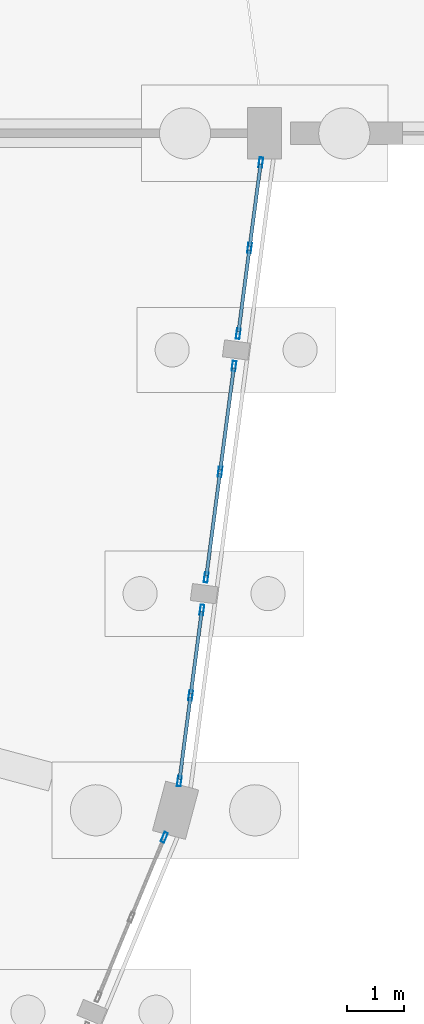
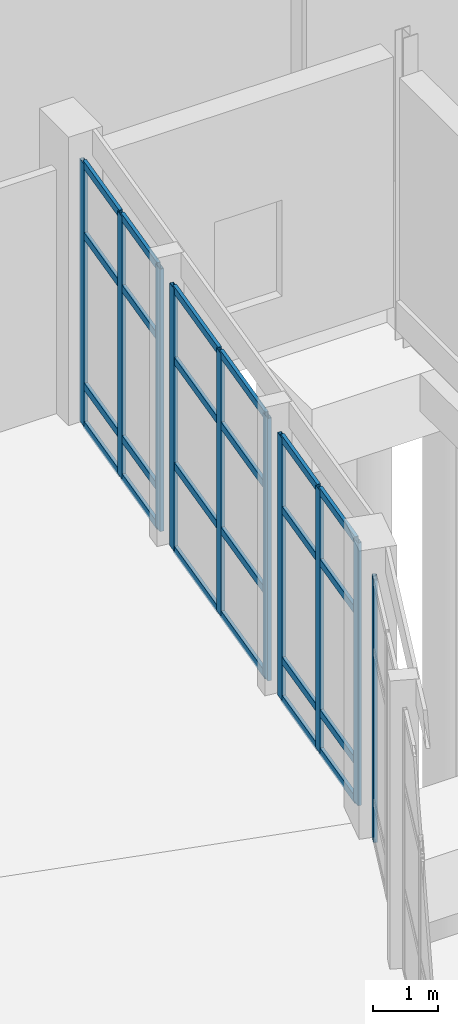
# One storey, part 75 of 137: 34 members, 4 elements without a shape of their own.
"""IFC4 building model written with IfcOpenShell, lengths in metres."""

from ifc_helpers import new_model, si_unit, direction, frame, origin, origin_2d, place, context, subcontext, project, spatial, hollow_rectangle, extrude, material, material_profile, profile_set, type_object, element, aggregate, save


model = new_model("IFC4")

# Units and contexts
model_context = context("Model", 3, precision=1e-05, world=origin(), true_north=direction((0.0, 1.0)))
body_context = subcontext(model_context, "Body", "Model", "MODEL_VIEW")
ifc_project = project(units=[si_unit("LENGTHUNIT", "METRE"), si_unit("AREAUNIT", "SQUARE_METRE"), si_unit("VOLUMEUNIT", "CUBIC_METRE"), si_unit("PLANEANGLEUNIT", "RADIAN"), si_unit("MASSUNIT", "GRAM", prefix="KILO")], contexts=[model_context])

# Site, building, storey
site_placement = place(None, origin())
site = spatial("IfcSite", under=ifc_project, at=site_placement, CompositionType="ELEMENT")
building_placement = place(site_placement, origin())
building = spatial("IfcBuilding", under=site, at=building_placement, Name="Vondelvale Polytechnic", CompositionType="ELEMENT")
storey_placement = place(building_placement, origin())
storey = spatial("IfcBuildingStorey", under=building, at=storey_placement, Name="L00", CompositionType="ELEMENT", Elevation=0.0)

# Curtain wall, member
ifc_material_1 = material(Name="Glulam GL18 structural Tasmanian oak (fb = 42 MPa)", Category="wood")
curtain_wall_type = type_object("IfcCurtainWallType", Name="CW-RING-OUTER", PredefinedType="NOTDEFINED", material=ifc_material_1)
curtain_wall_1_placement = place(storey_placement, origin())
curtain_wall_1 = element("IfcCurtainWall", 1, at=curtain_wall_1_placement, inside=storey, type_object=curtain_wall_type, Name="L00 architectural curtain wall CW-04-361", PredefinedType="NOTDEFINED")
ifc_material_2 = material(Name="Anodised extruded aluminium 6063-T6", Category="aluminium")
ifc_material_profile_1 = material_profile(ifc_material_2, hollow_rectangle(XDim=0.06494140625, YDim=0.179931640625, WallThickness=0.00390625, at=origin_2d()), Name="CW-MUL-180x65")
ifc_profile_set_1 = profile_set([ifc_material_profile_1], Name="Anodised extruded aluminium 6063-T6")
member_type_1 = type_object("IfcMemberType", Name="CW-MUL-65x180", PredefinedType="MULLION", material=ifc_profile_set_1)
member_1_placement = place(storey_placement, frame((146.23486328125, 59.6171875, 0.0), z_axis=(0.0, 0.0, 1.0), x_axis=(-0.92388135159, 0.382679040691, 0.0)))
member_1 = element("IfcMember", 2, at=member_1_placement, type_object=member_type_1, Name="CW-04-361 mullion 3", PredefinedType="MULLION", context=body_context, shape_type="SweptSolid", body=[
    extrude(hollow_rectangle(XDim=0.06494140625, YDim=0.179931640625, WallThickness=0.00390625, at=origin_2d()), origin(), (0.0, 0.0, 1.0), 4.919921875),
])
aggregate(curtain_wall_1, [member_1])

# Curtain wall, members
curtain_wall_2_placement = place(storey_placement, origin())
curtain_wall_2 = element("IfcCurtainWall", 3, at=curtain_wall_2_placement, inside=storey, type_object=curtain_wall_type, Name="L00 architectural curtain wall CW-04-371", PredefinedType="NOTDEFINED")
member_2_placement = place(storey_placement, frame((146.5, 60.6064453125, 0.0), z_axis=(0.0, 0.0, 1.0), x_axis=(-0.991445190781, 0.130523690099, 0.0)))
member_2 = element("IfcMember", 4, at=member_2_placement, type_object=member_type_1, Name="CW-04-371 mullion 1", PredefinedType="MULLION", context=body_context, shape_type="SweptSolid", body=[
    extrude(hollow_rectangle(XDim=0.06494140625, YDim=0.179931640625, WallThickness=0.00390625, at=origin_2d()), origin(), (0.0, 0.0, 1.0), 4.919921875),
])
member_3_placement = place(storey_placement, frame((146.6982421875, 62.11279296875, 0.0), z_axis=(0.0, 0.0, 1.0), x_axis=(-0.991445190781, 0.130523690099, 0.0)))
member_3 = element("IfcMember", 5, at=member_3_placement, type_object=member_type_1, Name="CW-04-371 mullion 2", PredefinedType="MULLION", context=body_context, shape_type="SweptSolid", body=[
    extrude(hollow_rectangle(XDim=0.06494140625, YDim=0.179931640625, WallThickness=0.00390625, at=origin_2d()), origin(), (0.0, 0.0, 1.0), 4.919921875),
])
member_4_placement = place(storey_placement, frame((146.896728515625, 63.619140625, 0.0), z_axis=(0.0, 0.0, 1.0), x_axis=(-0.991445190781, 0.130523690099, 0.0)))
member_4 = element("IfcMember", 6, at=member_4_placement, type_object=member_type_1, Name="CW-04-371 mullion 3", PredefinedType="MULLION", context=body_context, shape_type="SweptSolid", body=[
    extrude(hollow_rectangle(XDim=0.06494140625, YDim=0.179931640625, WallThickness=0.00390625, at=origin_2d()), origin(), (0.0, 0.0, 1.0), 4.919921875),
])

curtain_wall_3_placement = place(storey_placement, origin())
curtain_wall_3 = element("IfcCurtainWall", 7, at=curtain_wall_3_placement, inside=storey, type_object=curtain_wall_type, Name="L00 architectural curtain wall CW-04-372", PredefinedType="NOTDEFINED")
member_5_placement = place(storey_placement, frame((146.9716796875, 64.189208984375, 0.0), z_axis=(0.0, 0.0, 1.0), x_axis=(-0.991448671082, 0.130497251349, 0.0)))
member_5 = element("IfcMember", 8, at=member_5_placement, type_object=member_type_1, Name="CW-04-372 mullion 1", PredefinedType="MULLION", context=body_context, shape_type="SweptSolid", body=[
    extrude(hollow_rectangle(XDim=0.06494140625, YDim=0.179931640625, WallThickness=0.00390625, at=origin_2d()), origin(), (0.0, 0.0, 1.0), 4.919921875),
])
member_6_placement = place(storey_placement, frame((147.21630859375, 66.047119140625, 0.0), z_axis=(0.0, 0.0, 1.0), x_axis=(-0.991448671082, 0.130497251349, 0.0)))
member_6 = element("IfcMember", 9, at=member_6_placement, type_object=member_type_1, Name="CW-04-372 mullion 2", PredefinedType="MULLION", context=body_context, shape_type="SweptSolid", body=[
    extrude(hollow_rectangle(XDim=0.06494140625, YDim=0.179931640625, WallThickness=0.00390625, at=origin_2d()), origin(), (0.0, 0.0, 1.0), 4.919921875),
])
member_7_placement = place(storey_placement, frame((147.4609375, 67.9052734375, 0.0), z_axis=(0.0, 0.0, 1.0), x_axis=(-0.991448671082, 0.130497251349, 0.0)))
member_7 = element("IfcMember", 10, at=member_7_placement, type_object=member_type_1, Name="CW-04-372 mullion 3", PredefinedType="MULLION", context=body_context, shape_type="SweptSolid", body=[
    extrude(hollow_rectangle(XDim=0.06494140625, YDim=0.179931640625, WallThickness=0.00390625, at=origin_2d()), origin(), (0.0, 0.0, 1.0), 4.919921875),
])

curtain_wall_4_placement = place(storey_placement, origin())
curtain_wall_4 = element("IfcCurtainWall", 11, at=curtain_wall_4_placement, inside=storey, type_object=curtain_wall_type, Name="L00 architectural curtain wall CW-04-373", PredefinedType="NOTDEFINED")
member_8_placement = place(storey_placement, frame((147.535888671875, 68.475341796875, 0.0), z_axis=(0.0, 0.0, 1.0), x_axis=(-0.991445190781, 0.130523690099, 0.0)))
member_8 = element("IfcMember", 12, at=member_8_placement, type_object=member_type_1, Name="CW-04-373 mullion 1", PredefinedType="MULLION", context=body_context, shape_type="SweptSolid", body=[
    extrude(hollow_rectangle(XDim=0.06494140625, YDim=0.179931640625, WallThickness=0.00390625, at=origin_2d()), origin(), (0.0, 0.0, 1.0), 4.919921875),
])
member_9_placement = place(storey_placement, frame((147.734130859375, 69.9814453125, 0.0), z_axis=(0.0, 0.0, 1.0), x_axis=(-0.991445190781, 0.130523690099, 0.0)))
member_9 = element("IfcMember", 13, at=member_9_placement, type_object=member_type_1, Name="CW-04-373 mullion 2", PredefinedType="MULLION", context=body_context, shape_type="SweptSolid", body=[
    extrude(hollow_rectangle(XDim=0.06494140625, YDim=0.179931640625, WallThickness=0.00390625, at=origin_2d()), origin(), (0.0, 0.0, 1.0), 4.919921875),
])
member_10_placement = place(storey_placement, frame((147.9326171875, 71.48779296875, 0.0), z_axis=(0.0, 0.0, 1.0), x_axis=(-0.991445190781, 0.130523690099, 0.0)))
member_10 = element("IfcMember", 14, at=member_10_placement, type_object=member_type_1, Name="CW-04-373 mullion 3", PredefinedType="MULLION", context=body_context, shape_type="SweptSolid", body=[
    extrude(hollow_rectangle(XDim=0.06494140625, YDim=0.179931640625, WallThickness=0.00390625, at=origin_2d()), origin(), (0.0, 0.0, 1.0), 4.919921875),
])

# Member
ifc_material_profile_2 = material_profile(ifc_material_2, hollow_rectangle(XDim=0.06005859375, YDim=0.139892578125, WallThickness=0.00341796875, at=origin_2d()), Name="CW-TRN-140x60")
ifc_profile_set_2 = profile_set([ifc_material_profile_2], Name="Anodised extruded aluminium 6063-T6")
member_type_2 = type_object("IfcMemberType", Name="CW-TRN-60x140", PredefinedType="USERDEFINED", material=ifc_profile_set_2)
member_11_placement = place(storey_placement, frame((146.50439453125, 60.638671875, 0.030029296875), z_axis=(0.130437142462, 0.991456580928, 0.0), x_axis=(-0.991456580928, 0.130437142462, 0.0)))
member_11 = element("IfcMember", 15, at=member_11_placement, type_object=member_type_2, Name="CW-04-371 transom 1.1", ObjectType="TRANSOM", PredefinedType="USERDEFINED", context=body_context, shape_type="SweptSolid", body=[
    extrude(hollow_rectangle(XDim=0.06005859375, YDim=0.139892578125, WallThickness=0.00341796875, at=origin_2d()), origin(), (0.0, 0.0, 1.0), 1.454345703125),
])

member_12_placement = place(storey_placement, frame((146.50439453125, 60.638671875, 0.75), z_axis=(0.130437142462, 0.991456580928, 0.0), x_axis=(-0.991456580928, 0.130437142462, 0.0)))
member_12 = element("IfcMember", 16, at=member_12_placement, type_object=member_type_2, Name="CW-04-371 transom 1.2", ObjectType="TRANSOM", PredefinedType="USERDEFINED", context=body_context, shape_type="SweptSolid", body=[
    extrude(hollow_rectangle(XDim=0.06005859375, YDim=0.139892578125, WallThickness=0.00341796875, at=origin_2d()), origin(), (0.0, 0.0, 1.0), 1.454345703125),
])

member_13_placement = place(storey_placement, frame((146.50439453125, 60.638671875, 3.570068359375), z_axis=(0.130437142462, 0.991456580928, 0.0), x_axis=(-0.991456580928, 0.130437142462, 0.0)))
member_13 = element("IfcMember", 17, at=member_13_placement, type_object=member_type_2, Name="CW-04-371 transom 1.3", ObjectType="TRANSOM", PredefinedType="USERDEFINED", context=body_context, shape_type="SweptSolid", body=[
    extrude(hollow_rectangle(XDim=0.06005859375, YDim=0.139892578125, WallThickness=0.00341796875, at=origin_2d()), origin(), (0.0, 0.0, 1.0), 1.454345703125),
])

member_14_placement = place(storey_placement, frame((146.50439453125, 60.638671875, 4.889892578125), z_axis=(0.130437142462, 0.991456580928, 0.0), x_axis=(-0.991456580928, 0.130437142462, 0.0)))
member_14 = element("IfcMember", 18, at=member_14_placement, type_object=member_type_2, Name="CW-04-371 transom 1.4", ObjectType="TRANSOM", PredefinedType="USERDEFINED", context=body_context, shape_type="SweptSolid", body=[
    extrude(hollow_rectangle(XDim=0.06005859375, YDim=0.139892578125, WallThickness=0.00341796875, at=origin_2d()), origin(), (0.0, 0.0, 1.0), 1.454345703125),
])

member_15_placement = place(storey_placement, frame((146.70263671875, 62.14501953125, 0.030029296875), z_axis=(0.130437142462, 0.991456580928, 0.0), x_axis=(-0.991456580928, 0.130437142462, 0.0)))
member_15 = element("IfcMember", 19, at=member_15_placement, type_object=member_type_2, Name="CW-04-371 transom 2.1", ObjectType="TRANSOM", PredefinedType="USERDEFINED", context=body_context, shape_type="SweptSolid", body=[
    extrude(hollow_rectangle(XDim=0.06005859375, YDim=0.139892578125, WallThickness=0.00341796875, at=origin_2d()), origin(), (0.0, 0.0, 1.0), 1.454345703125),
])

member_16_placement = place(storey_placement, frame((146.70263671875, 62.14501953125, 0.75), z_axis=(0.130437142462, 0.991456580928, 0.0), x_axis=(-0.991456580928, 0.130437142462, 0.0)))
member_16 = element("IfcMember", 20, at=member_16_placement, type_object=member_type_2, Name="CW-04-371 transom 2.2", ObjectType="TRANSOM", PredefinedType="USERDEFINED", context=body_context, shape_type="SweptSolid", body=[
    extrude(hollow_rectangle(XDim=0.06005859375, YDim=0.139892578125, WallThickness=0.00341796875, at=origin_2d()), origin(), (0.0, 0.0, 1.0), 1.454345703125),
])

member_17_placement = place(storey_placement, frame((146.70263671875, 62.14501953125, 3.570068359375), z_axis=(0.130437142462, 0.991456580928, 0.0), x_axis=(-0.991456580928, 0.130437142462, 0.0)))
member_17 = element("IfcMember", 21, at=member_17_placement, type_object=member_type_2, Name="CW-04-371 transom 2.3", ObjectType="TRANSOM", PredefinedType="USERDEFINED", context=body_context, shape_type="SweptSolid", body=[
    extrude(hollow_rectangle(XDim=0.06005859375, YDim=0.139892578125, WallThickness=0.00341796875, at=origin_2d()), origin(), (0.0, 0.0, 1.0), 1.454345703125),
])

member_18_placement = place(storey_placement, frame((146.70263671875, 62.14501953125, 4.889892578125), z_axis=(0.130437142462, 0.991456580928, 0.0), x_axis=(-0.991456580928, 0.130437142462, 0.0)))
member_18 = element("IfcMember", 22, at=member_18_placement, type_object=member_type_2, Name="CW-04-371 transom 2.4", ObjectType="TRANSOM", PredefinedType="USERDEFINED", context=body_context, shape_type="SweptSolid", body=[
    extrude(hollow_rectangle(XDim=0.06005859375, YDim=0.139892578125, WallThickness=0.00341796875, at=origin_2d()), origin(), (0.0, 0.0, 1.0), 1.454345703125),
])

aggregate(curtain_wall_2, [member_2, member_3, member_4, member_11, member_12, member_13, member_14, member_15, member_16, member_17, member_18])

member_19_placement = place(storey_placement, frame((146.97607421875, 64.221435546875, 0.030029296875), z_axis=(0.130510372288, 0.991446943979, 0.0), x_axis=(-0.991446943979, 0.130510372288, 0.0)))
member_19 = element("IfcMember", 23, at=member_19_placement, type_object=member_type_2, Name="CW-04-372 transom 1.1", ObjectType="TRANSOM", PredefinedType="USERDEFINED", context=body_context, shape_type="SweptSolid", body=[
    extrude(hollow_rectangle(XDim=0.06005859375, YDim=0.139892578125, WallThickness=0.00341796875, at=origin_2d()), origin(), (0.0, 0.0, 1.0), 1.808837890625),
])

member_20_placement = place(storey_placement, frame((146.97607421875, 64.221435546875, 1.60009765625), z_axis=(0.130510372288, 0.991446943979, 0.0), x_axis=(-0.991446943979, 0.130510372288, 0.0)))
member_20 = element("IfcMember", 24, at=member_20_placement, type_object=member_type_2, Name="CW-04-372 transom 1.2", ObjectType="TRANSOM", PredefinedType="USERDEFINED", context=body_context, shape_type="SweptSolid", body=[
    extrude(hollow_rectangle(XDim=0.06005859375, YDim=0.139892578125, WallThickness=0.00341796875, at=origin_2d()), origin(), (0.0, 0.0, 1.0), 1.808837890625),
])

member_21_placement = place(storey_placement, frame((146.97607421875, 64.221435546875, 3.570068359375), z_axis=(0.130510372288, 0.991446943979, 0.0), x_axis=(-0.991446943979, 0.130510372288, 0.0)))
member_21 = element("IfcMember", 25, at=member_21_placement, type_object=member_type_2, Name="CW-04-372 transom 1.3", ObjectType="TRANSOM", PredefinedType="USERDEFINED", context=body_context, shape_type="SweptSolid", body=[
    extrude(hollow_rectangle(XDim=0.06005859375, YDim=0.139892578125, WallThickness=0.00341796875, at=origin_2d()), origin(), (0.0, 0.0, 1.0), 1.808837890625),
])

member_22_placement = place(storey_placement, frame((146.97607421875, 64.221435546875, 4.889892578125), z_axis=(0.130510372288, 0.991446943979, 0.0), x_axis=(-0.991446943979, 0.130510372288, 0.0)))
member_22 = element("IfcMember", 26, at=member_22_placement, type_object=member_type_2, Name="CW-04-372 transom 1.4", ObjectType="TRANSOM", PredefinedType="USERDEFINED", context=body_context, shape_type="SweptSolid", body=[
    extrude(hollow_rectangle(XDim=0.06005859375, YDim=0.139892578125, WallThickness=0.00341796875, at=origin_2d()), origin(), (0.0, 0.0, 1.0), 1.808837890625),
])

member_23_placement = place(storey_placement, frame((147.220458984375, 66.079345703125, 0.030029296875), z_axis=(0.130492911033, 0.991449242357, 0.0), x_axis=(-0.991449242357, 0.130492911033, 0.0)))
member_23 = element("IfcMember", 27, at=member_23_placement, type_object=member_type_2, Name="CW-04-372 transom 2.1", ObjectType="TRANSOM", PredefinedType="USERDEFINED", context=body_context, shape_type="SweptSolid", body=[
    extrude(hollow_rectangle(XDim=0.06005859375, YDim=0.139892578125, WallThickness=0.00341796875, at=origin_2d()), origin(), (0.0, 0.0, 1.0), 1.80908203125),
])

member_24_placement = place(storey_placement, frame((147.220458984375, 66.079345703125, 1.60009765625), z_axis=(0.130492911033, 0.991449242357, 0.0), x_axis=(-0.991449242357, 0.130492911033, 0.0)))
member_24 = element("IfcMember", 28, at=member_24_placement, type_object=member_type_2, Name="CW-04-372 transom 2.2", ObjectType="TRANSOM", PredefinedType="USERDEFINED", context=body_context, shape_type="SweptSolid", body=[
    extrude(hollow_rectangle(XDim=0.06005859375, YDim=0.139892578125, WallThickness=0.00341796875, at=origin_2d()), origin(), (0.0, 0.0, 1.0), 1.80908203125),
])

member_25_placement = place(storey_placement, frame((147.220458984375, 66.079345703125, 3.570068359375), z_axis=(0.130492911033, 0.991449242357, 0.0), x_axis=(-0.991449242357, 0.130492911033, 0.0)))
member_25 = element("IfcMember", 29, at=member_25_placement, type_object=member_type_2, Name="CW-04-372 transom 2.3", ObjectType="TRANSOM", PredefinedType="USERDEFINED", context=body_context, shape_type="SweptSolid", body=[
    extrude(hollow_rectangle(XDim=0.06005859375, YDim=0.139892578125, WallThickness=0.00341796875, at=origin_2d()), origin(), (0.0, 0.0, 1.0), 1.80908203125),
])

member_26_placement = place(storey_placement, frame((147.220458984375, 66.079345703125, 4.889892578125), z_axis=(0.130492911033, 0.991449242357, 0.0), x_axis=(-0.991449242357, 0.130492911033, 0.0)))
member_26 = element("IfcMember", 30, at=member_26_placement, type_object=member_type_2, Name="CW-04-372 transom 2.4", ObjectType="TRANSOM", PredefinedType="USERDEFINED", context=body_context, shape_type="SweptSolid", body=[
    extrude(hollow_rectangle(XDim=0.06005859375, YDim=0.139892578125, WallThickness=0.00341796875, at=origin_2d()), origin(), (0.0, 0.0, 1.0), 1.80908203125),
])

aggregate(curtain_wall_3, [member_5, member_6, member_7, member_19, member_20, member_21, member_22, member_23, member_24, member_25, member_26])

member_27_placement = place(storey_placement, frame((147.540283203125, 68.50732421875, 0.030029296875), z_axis=(0.130437142462, 0.991456580928, 0.0), x_axis=(-0.991456580928, 0.130437142462, 0.0)))
member_27 = element("IfcMember", 31, at=member_27_placement, type_object=member_type_2, Name="CW-04-373 transom 1.1", ObjectType="TRANSOM", PredefinedType="USERDEFINED", context=body_context, shape_type="SweptSolid", body=[
    extrude(hollow_rectangle(XDim=0.06005859375, YDim=0.139892578125, WallThickness=0.00341796875, at=origin_2d()), origin(), (0.0, 0.0, 1.0), 1.454345703125),
])

member_28_placement = place(storey_placement, frame((147.540283203125, 68.50732421875, 0.75), z_axis=(0.130437142462, 0.991456580928, 0.0), x_axis=(-0.991456580928, 0.130437142462, 0.0)))
member_28 = element("IfcMember", 32, at=member_28_placement, type_object=member_type_2, Name="CW-04-373 transom 1.2", ObjectType="TRANSOM", PredefinedType="USERDEFINED", context=body_context, shape_type="SweptSolid", body=[
    extrude(hollow_rectangle(XDim=0.06005859375, YDim=0.139892578125, WallThickness=0.00341796875, at=origin_2d()), origin(), (0.0, 0.0, 1.0), 1.454345703125),
])

member_29_placement = place(storey_placement, frame((147.540283203125, 68.50732421875, 3.570068359375), z_axis=(0.130437142462, 0.991456580928, 0.0), x_axis=(-0.991456580928, 0.130437142462, 0.0)))
member_29 = element("IfcMember", 33, at=member_29_placement, type_object=member_type_2, Name="CW-04-373 transom 1.3", ObjectType="TRANSOM", PredefinedType="USERDEFINED", context=body_context, shape_type="SweptSolid", body=[
    extrude(hollow_rectangle(XDim=0.06005859375, YDim=0.139892578125, WallThickness=0.00341796875, at=origin_2d()), origin(), (0.0, 0.0, 1.0), 1.454345703125),
])

member_30_placement = place(storey_placement, frame((147.540283203125, 68.50732421875, 4.889892578125), z_axis=(0.130437142462, 0.991456580928, 0.0), x_axis=(-0.991456580928, 0.130437142462, 0.0)))
member_30 = element("IfcMember", 34, at=member_30_placement, type_object=member_type_2, Name="CW-04-373 transom 1.4", ObjectType="TRANSOM", PredefinedType="USERDEFINED", context=body_context, shape_type="SweptSolid", body=[
    extrude(hollow_rectangle(XDim=0.06005859375, YDim=0.139892578125, WallThickness=0.00341796875, at=origin_2d()), origin(), (0.0, 0.0, 1.0), 1.454345703125),
])

member_31_placement = place(storey_placement, frame((147.738525390625, 70.013671875, 0.030029296875), z_axis=(0.130437142462, 0.991456580928, 0.0), x_axis=(-0.991456580928, 0.130437142462, 0.0)))
member_31 = element("IfcMember", 35, at=member_31_placement, type_object=member_type_2, Name="CW-04-373 transom 2.1", ObjectType="TRANSOM", PredefinedType="USERDEFINED", context=body_context, shape_type="SweptSolid", body=[
    extrude(hollow_rectangle(XDim=0.06005859375, YDim=0.139892578125, WallThickness=0.00341796875, at=origin_2d()), origin(), (0.0, 0.0, 1.0), 1.454345703125),
])

member_32_placement = place(storey_placement, frame((147.738525390625, 70.013671875, 0.75), z_axis=(0.130437142462, 0.991456580928, 0.0), x_axis=(-0.991456580928, 0.130437142462, 0.0)))
member_32 = element("IfcMember", 36, at=member_32_placement, type_object=member_type_2, Name="CW-04-373 transom 2.2", ObjectType="TRANSOM", PredefinedType="USERDEFINED", context=body_context, shape_type="SweptSolid", body=[
    extrude(hollow_rectangle(XDim=0.06005859375, YDim=0.139892578125, WallThickness=0.00341796875, at=origin_2d()), origin(), (0.0, 0.0, 1.0), 1.454345703125),
])

member_33_placement = place(storey_placement, frame((147.738525390625, 70.013671875, 3.570068359375), z_axis=(0.130437142462, 0.991456580928, 0.0), x_axis=(-0.991456580928, 0.130437142462, 0.0)))
member_33 = element("IfcMember", 37, at=member_33_placement, type_object=member_type_2, Name="CW-04-373 transom 2.3", ObjectType="TRANSOM", PredefinedType="USERDEFINED", context=body_context, shape_type="SweptSolid", body=[
    extrude(hollow_rectangle(XDim=0.06005859375, YDim=0.139892578125, WallThickness=0.00341796875, at=origin_2d()), origin(), (0.0, 0.0, 1.0), 1.454345703125),
])

member_34_placement = place(storey_placement, frame((147.738525390625, 70.013671875, 4.889892578125), z_axis=(0.130437142462, 0.991456580928, 0.0), x_axis=(-0.991456580928, 0.130437142462, 0.0)))
member_34 = element("IfcMember", 38, at=member_34_placement, type_object=member_type_2, Name="CW-04-373 transom 2.4", ObjectType="TRANSOM", PredefinedType="USERDEFINED", context=body_context, shape_type="SweptSolid", body=[
    extrude(hollow_rectangle(XDim=0.06005859375, YDim=0.139892578125, WallThickness=0.00341796875, at=origin_2d()), origin(), (0.0, 0.0, 1.0), 1.454345703125),
])

aggregate(curtain_wall_4, [member_8, member_9, member_10, member_27, member_28, member_29, member_30, member_31, member_32, member_33, member_34])

save(model, "model.ifc")
